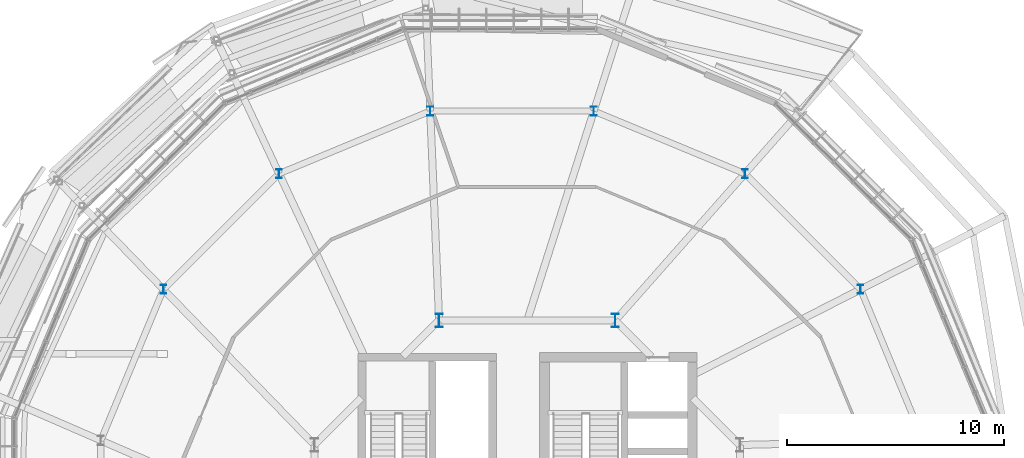
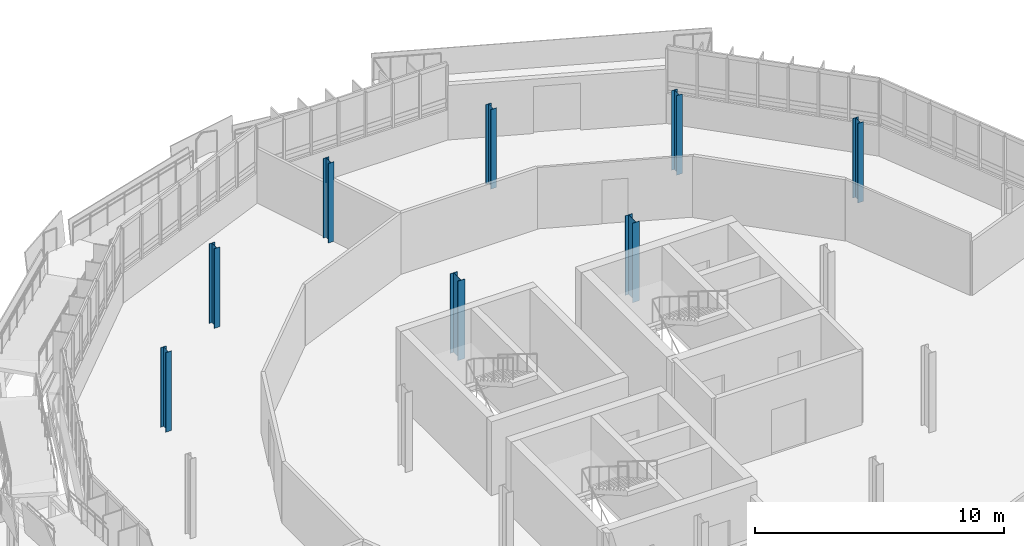
# One storey, part 3 of 61: 8 columns.
"""IFC4 building model written with IfcOpenShell, lengths in metres."""

from ifc_helpers import new_model, si_unit, derived_unit, direction, frame, origin, origin_2d, place, context, subcontext, project, spatial, i_section, extrude, material, material_profile, profile_set, type_object, element, save


model = new_model("IFC4")

# Units and contexts
model_context = context("Model", 3, precision=1e-05, world=origin(), true_north=direction((0.0, 1.0)))
body_context = subcontext(model_context, "Body", "Model", "MODEL_VIEW")
ifc_project = project(units=[si_unit("LENGTHUNIT", "METRE"), si_unit("AREAUNIT", "SQUARE_METRE"), si_unit("VOLUMEUNIT", "CUBIC_METRE"), si_unit("PLANEANGLEUNIT", "RADIAN"), si_unit("MASSUNIT", "GRAM", prefix="KILO"), derived_unit("THERMALTRANSMITTANCEUNIT", [(si_unit("MASSUNIT", "GRAM", prefix="KILO"), 1), (si_unit("TIMEUNIT", "SECOND"), -3), (si_unit("THERMODYNAMICTEMPERATUREUNIT", "KELVIN"), -1)])], contexts=[model_context])

# Site, building, storey
site_placement = place(None, origin())
site = spatial("IfcSite", under=ifc_project, at=site_placement, CompositionType="ELEMENT")
building_placement = place(site_placement, origin())
building = spatial("IfcBuilding", under=site, at=building_placement, Name="Makaiwela Harbour Ferry Terminal", CompositionType="ELEMENT")
storey_placement = place(building_placement, frame((0.0, 0.0, 13.800048828125)))
storey = spatial("IfcBuildingStorey", under=building, at=storey_placement, Name="L03", CompositionType="ELEMENT", Elevation=13.800048828125)

# Columns
ifc_material = material(Name="Steel ASTM A992 Grade 50", Category="steel")
ifc_material_profile_1 = material_profile(ifc_material, i_section(OverallWidth=0.260986328125, OverallDepth=0.4189453125, WebThickness=0.01171875, FlangeThickness=0.019287109375, at=origin_2d()), Name="W16X77")
ifc_profile_set_1 = profile_set([ifc_material_profile_1], Name="Steel ASTM A992 Grade 50")
column_type_1 = type_object("IfcColumnType", Name="STR-COL-W16X77", PredefinedType="COLUMN", material=ifc_profile_set_1)
for number, where, z_axis, x_axis, name in (
    (1, (53.1474609375, 78.822509765625, 0.0), (0.0, 0.0, 1.0), (1.0, 0.0, 0.0), "Structural Column C-04"),
    (2, (47.822509765625, 84.1474609375, 0.0), (0.0, 0.0, 1.0), (1.0, 0.0, 0.0), "Structural Column C-04"),
    (3, (40.865234375, 87.029296875, 0.0), (0.0, 0.0, 1.0), (1.0, 0.0, 0.0), "Structural Column C-04"),
    (4, (33.334716796875, 87.029296875, 0.0), (0.0, 0.0, 1.0), (1.0, 0.0, 0.0), "Structural Column C-04"),
    (5, (26.37744140625, 84.1474609375, 0.0), (0.0, 0.0, 1.0), (1.0, 0.0, 0.0), "Structural Column C-04"),
    (6, (21.052490234375, 78.822509765625, 0.0), (0.0, 0.0, 1.0), (1.0, 0.0, 0.0), "Structural Column C-04"),
):
    element("IfcColumn", number, at=place(storey_placement, frame(where, z_axis=z_axis, x_axis=x_axis)), inside=storey, type_object=column_type_1, Name=name, PredefinedType="COLUMN", context=body_context, shape_type="SweptSolid", body=[
        extrude(i_section(OverallWidth=0.260986328125, OverallDepth=0.4189453125, WebThickness=0.01171875, FlangeThickness=0.019287109375, at=origin_2d()), origin(), (0.0, 0.0, 1.0), 3.89990234375),
    ])
ifc_material_profile_2 = material_profile(ifc_material, i_section(OverallWidth=0.324951171875, OverallDepth=0.615966796875, WebThickness=0.013916015625, FlangeThickness=0.021484375, at=origin_2d()), Name="W24X117")
ifc_profile_set_2 = profile_set([ifc_material_profile_2], Name="Steel ASTM A992 Grade 50")
column_type_2 = type_object("IfcColumnType", Name="STR-COL-W24X117", PredefinedType="COLUMN", material=ifc_profile_set_2)
for number, where, z_axis, x_axis, name in (
    (7, (41.8564453125, 77.39306640625, 0.0), (0.0, 0.0, 1.0), (1.0, 0.0, 0.0), "Structural Column C-02"),
    (8, (33.74365234375, 77.39306640625, 0.0), (0.0, 0.0, 1.0), (1.0, 0.0, 0.0), "Structural Column C-02"),
):
    element("IfcColumn", number, at=place(storey_placement, frame(where, z_axis=z_axis, x_axis=x_axis)), inside=storey, type_object=column_type_2, Name=name, PredefinedType="COLUMN", context=body_context, shape_type="SweptSolid", body=[
        extrude(i_section(OverallWidth=0.324951171875, OverallDepth=0.615966796875, WebThickness=0.013916015625, FlangeThickness=0.021484375, at=origin_2d()), origin(), (0.0, 0.0, 1.0), 3.89990234375),
    ])

save(model, "model.ifc")
